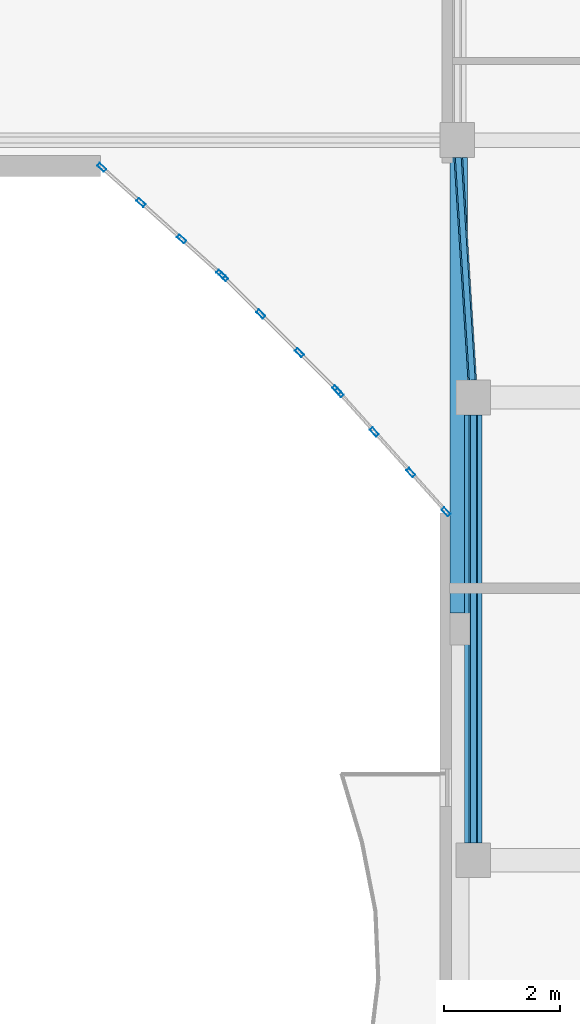
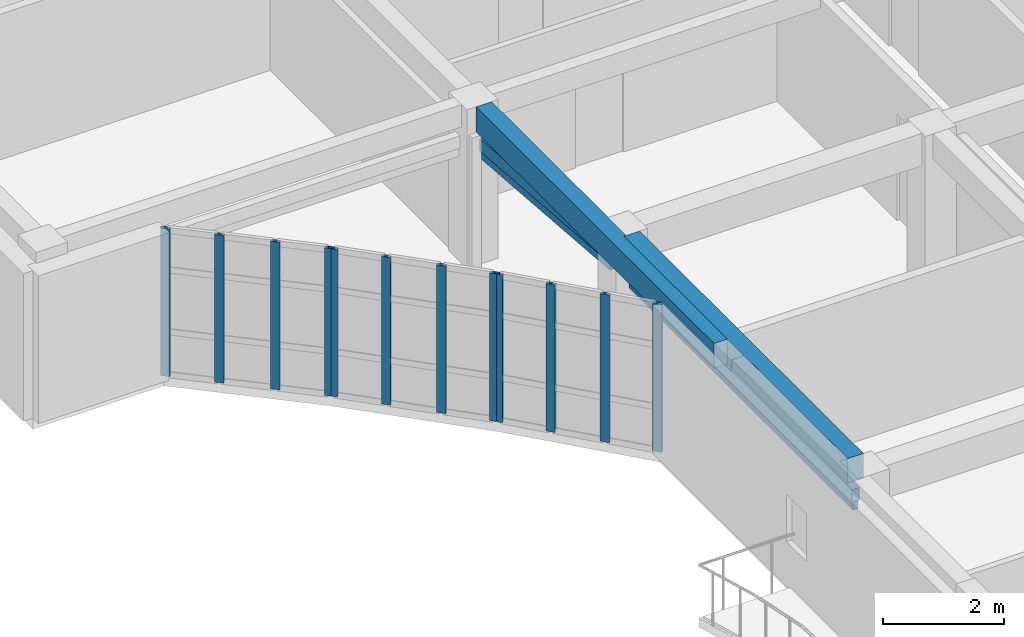
# One storey, part 11 of 79: 16 members, 2 beams, 3 elements without a shape of their own.
"""IFC4 building model written with IfcOpenShell, lengths in metres."""

import ifcopenshell
import ifcopenshell.guid

model = None  # the IFC model being written
_history = None  # IfcOwnerHistory: only IFC2X3 demands one
_inside = {}  # id of a spatial element -> (the spatial element, [elements in it])
_under = {}  # id of a project, library or spatial element -> (it, [spatial elements below it])
_declared = {}  # id of a project -> (the project, [libraries it declares])
_typed = {}  # id of a type object -> (the type object, [elements of that type])
_made_of = {}  # id of a material, layer set ... -> (it, [elements and type objects made of it])


def new_model(schema):
    """Start an empty IFC model of exactly this schema.

    Asked for "IFC4X3", IfcOpenShell would pick the latest addendum, in which some entities
    have other attributes; the version numbers below select the first issue.
    IFC2X3 requires an IfcOwnerHistory on every rooted entity: one is made here for all.
    """
    global model, _history
    if schema == "IFC4X3":
        model = ifcopenshell.file(schema_version=(4, 3, 0, 0))
    else:
        model = ifcopenshell.file(schema=schema)
    _inside.clear()
    _under.clear()
    _declared.clear()
    _typed.clear()
    _made_of.clear()
    _history = None
    if model.schema == "IFC2X3":
        org = make("IfcOrganization", Name="unknown")
        user = make(
            "IfcPersonAndOrganization",
            ThePerson=make("IfcPerson", FamilyName="unknown"),
            TheOrganization=org,
        )
        app = make(
            "IfcApplication",
            ApplicationDeveloper=org,
            Version="unknown",
            ApplicationFullName="unknown",
            ApplicationIdentifier="unknown",
        )
        _history = make(
            "IfcOwnerHistory",
            OwningUser=user,
            OwningApplication=app,
            ChangeAction="ADDED",
            CreationDate=0,
        )
    return model


def make(cls, **values):
    """One entity of the class cls with the attributes given. An attribute that is None is left unset."""
    return model.create_entity(
        cls, **{name: value for name, value in values.items() if value is not None}
    )


def rooted(cls, **values):
    """An entity with a GlobalId (a new one), such as an element, a storey or a relation."""
    return make(cls, GlobalId=ifcopenshell.guid.new(), OwnerHistory=_history, **values)


def si_unit(unit_type, name, prefix=None):
    """IfcSIUnit, for example si_unit("LENGTHUNIT", "METRE", prefix="MILLI")."""
    return make("IfcSIUnit", UnitType=unit_type, Prefix=prefix, Name=name)


def assignment(units):
    """IfcUnitAssignment: the units of a project."""
    return None if units is None else make("IfcUnitAssignment", Units=units)


def point(xyz):
    """IfcCartesianPoint."""
    return None if xyz is None else make("IfcCartesianPoint", Coordinates=xyz)


def direction(xyz):
    """IfcDirection."""
    return None if xyz is None else make("IfcDirection", DirectionRatios=xyz)


def frame(location, z_axis=None, x_axis=None):
    """IfcAxis2Placement3D, a coordinate frame: its origin and axes. An axis left out is left unset."""
    return make(
        "IfcAxis2Placement3D",
        Location=point(location),
        Axis=direction(z_axis),
        RefDirection=direction(x_axis),
    )


def frame_2d(location, x_axis=None):
    """IfcAxis2Placement2D, a coordinate frame in the plane: its origin and x axis."""
    return make(
        "IfcAxis2Placement2D", Location=point(location), RefDirection=direction(x_axis)
    )


def origin():
    """The frame at (0, 0, 0) with its axes left unset."""
    return frame((0.0, 0.0, 0.0))


def origin_2d():
    """The frame at (0, 0) in the plane with its x axis left unset."""
    return frame_2d((0.0, 0.0))


def place(relative_to, where):
    """IfcLocalPlacement: puts the frame where relative to a parent placement (None: the world)."""
    return make(
        "IfcLocalPlacement", PlacementRelTo=relative_to, RelativePlacement=where
    )


def context(
    kind, dimensions, precision=None, world=None, true_north=None, identifier=None
):
    """IfcGeometricRepresentationContext, for example the 3D "Model" context."""
    return make(
        "IfcGeometricRepresentationContext",
        ContextIdentifier=identifier,
        ContextType=kind,
        CoordinateSpaceDimension=dimensions,
        Precision=precision,
        WorldCoordinateSystem=world,
        TrueNorth=true_north,
    )


def subcontext(parent, identifier, kind, view, scale=None):
    """IfcGeometricRepresentationSubContext, for example "Body" below "Model"."""
    return make(
        "IfcGeometricRepresentationSubContext",
        ContextIdentifier=identifier,
        ContextType=kind,
        ParentContext=parent,
        TargetScale=scale,
        TargetView=view,
    )


def project(units=None, contexts=None):
    """IfcProject with its units and contexts."""
    return rooted(
        "IfcProject",
        Name="project",
        RepresentationContexts=contexts,
        UnitsInContext=assignment(units),
    )


def spatial(cls, under=None, at=None, **own):
    """A site, building, storey or space (cls), placed at a placement, below another one or the project."""
    s = rooted(cls, ObjectPlacement=at, **own)
    if under is not None:
        _under.setdefault(under.id(), (under, []))[1].append(s)
    return s


def profile(cls, at=None, kind="AREA", **sizes):
    """A parametric profile (cls). Its sizes go by their IFC names, for example OverallWidth=200.0."""
    return make(cls, ProfileType=kind, Position=at, **sizes)


def rectangle(**sizes):
    """IfcRectangleProfileDef."""
    return profile("IfcRectangleProfileDef", **sizes)


def hollow_rectangle(**sizes):
    """IfcRectangleHollowProfileDef."""
    return profile("IfcRectangleHollowProfileDef", **sizes)


def extrude(swept, where, along, depth):
    """IfcExtrudedAreaSolid: the profile swept, set in the frame where, extruded along a direction by depth."""
    return make(
        "IfcExtrudedAreaSolid",
        SweptArea=swept,
        Position=where,
        ExtrudedDirection=direction(along),
        Depth=depth,
    )


def shape(context_of_items, identifier, shape_type, items):
    """IfcShapeRepresentation: the items that make up one representation, for example the "Body"."""
    return make(
        "IfcShapeRepresentation",
        ContextOfItems=context_of_items,
        RepresentationIdentifier=identifier,
        RepresentationType=shape_type,
        Items=items,
    )


def material(Name=None, Category=None):
    """IfcMaterial."""
    return make("IfcMaterial", Name=Name, Category=Category)


def layer(
    of_material, thickness, ventilated=None, Name=None, Category=None, Priority=None
):
    """IfcMaterialLayer: one layer of a wall or slab, of a material (None: an air gap)."""
    return make(
        "IfcMaterialLayer",
        Material=of_material,
        LayerThickness=thickness,
        IsVentilated=ventilated,
        Name=Name,
        Category=Category,
        Priority=Priority,
    )


def layer_set(layers, Name=None):
    """IfcMaterialLayerSet."""
    return make("IfcMaterialLayerSet", MaterialLayers=layers, LayerSetName=Name)


def material_profile(
    of_material, cross_section, Name=None, Category=None, Priority=None
):
    """IfcMaterialProfile: a cross section and its material."""
    return make(
        "IfcMaterialProfile",
        Name=Name,
        Material=of_material,
        Profile=cross_section,
        Priority=Priority,
        Category=Category,
    )


def profile_set(profiles, Name=None, composite=None):
    """IfcMaterialProfileSet."""
    return make(
        "IfcMaterialProfileSet",
        Name=Name,
        MaterialProfiles=profiles,
        CompositeProfile=composite,
    )


def made_of(thing, what):
    """Note that an element or type object is made of a material, layer set ...; save() writes the relation."""
    if what is not None:
        _made_of.setdefault(what.id(), (what, []))[1].append(thing)
    return thing


def type_object(cls, material=None, **own):
    """A type object (cls), such as IfcWallType, which elements share."""
    return made_of(rooted(cls, **own), material)


def element(
    cls,
    number,
    at=None,
    inside=None,
    cuts=None,
    type_object=None,
    material=None,
    context=None,
    identifier="Body",
    shape_type=None,
    held_by="IfcProductDefinitionShape",
    body=None,
    shapes=None,
    **own,
):
    """One element of the class cls, such as IfcWall. Its Tag is "e" and its number.

    at: its placement. inside: the storey or other place that contains it. cuts: it is an
    opening in that element (IfcRelVoidsElement). A single representation is given by context,
    identifier, shape_type and body (its items); several are given by shapes. held_by: the class
    of the entity that holds the representations. save() writes the other relations.
    """
    e = rooted(cls, Tag="e%d" % number, ObjectPlacement=at, **own)
    if body is not None:
        shapes = [shape(context, identifier, shape_type, body)]
    if shapes is not None:
        e.Representation = make(held_by, Representations=shapes)
    if inside is not None:
        _inside.setdefault(inside.id(), (inside, []))[1].append(e)
    if cuts is not None:
        rooted(
            "IfcRelVoidsElement", RelatingBuildingElement=cuts, RelatedOpeningElement=e
        )
    if type_object is not None:
        _typed.setdefault(type_object.id(), (type_object, []))[1].append(e)
    return made_of(e, material)


def aggregate(whole, parts):
    """IfcRelAggregates: a whole, such as a stair, and the parts it consists of."""
    return rooted("IfcRelAggregates", RelatingObject=whole, RelatedObjects=parts)


def save(model, path):
    """Write the relations noted so far, then the file.

    IfcRelAggregates (storeys below a building ...), IfcRelContainedInSpatialStructure (elements
    in a storey), IfcRelDefinesByType, IfcRelAssociatesMaterial and IfcRelDeclares: one each for
    every whole, place, type object, material and project.
    """
    for whole, parts in _under.values():
        aggregate(whole, parts)
    for where, things in _inside.values():
        rooted(
            "IfcRelContainedInSpatialStructure",
            RelatedElements=things,
            RelatingStructure=where,
        )
    for kind, things in _typed.values():
        rooted("IfcRelDefinesByType", RelatedObjects=things, RelatingType=kind)
    for what, things in _made_of.values():
        rooted("IfcRelAssociatesMaterial", RelatedObjects=things, RelatingMaterial=what)
    for by, libraries in _declared.values():
        rooted("IfcRelDeclares", RelatingContext=by, RelatedDefinitions=libraries)
    model.write(path)


model = new_model("IFC4")

# Units and contexts
model_context = context("Model", 3, precision=1e-05, world=origin(), true_north=direction((0.0, 1.0)))
body_context = subcontext(model_context, "Body", "Model", "MODEL_VIEW")
ifc_project = project(units=[si_unit("LENGTHUNIT", "METRE"), si_unit("AREAUNIT", "SQUARE_METRE"), si_unit("VOLUMEUNIT", "CUBIC_METRE"), si_unit("PLANEANGLEUNIT", "RADIAN"), si_unit("MASSUNIT", "GRAM", prefix="KILO")], contexts=[model_context])

# Site, building, storey
site_placement = place(None, origin())
site = spatial("IfcSite", under=ifc_project, at=site_placement, CompositionType="ELEMENT")
building_placement = place(site_placement, origin())
building = spatial("IfcBuilding", under=site, at=building_placement, Name="Keldmere Railside Commons", CompositionType="ELEMENT")
storey_placement = place(building_placement, frame((0.0, 0.0, 10.56005859375)))
storey = spatial("IfcBuildingStorey", under=building, at=storey_placement, Name="L03", CompositionType="ELEMENT", Elevation=10.56005859375)

# Members
ifc_material_1 = material(Name="Steel F-36 (S355)", Category="steel")
ifc_material_profile_1 = material_profile(ifc_material_1, hollow_rectangle(XDim=0.14990234375, YDim=0.25, WallThickness=0.010009765625, at=origin_2d()), Name="RHS-250x150x10")
ifc_profile_set_1 = profile_set([ifc_material_profile_1], Name="Steel F-36 (S355)")
member_type_1 = type_object("IfcMemberType", Name="Balcony Continuous Planted Trough RHS250x150", PredefinedType="CHORD", material=ifc_profile_set_1)
member_1_placement = place(storey_placement, frame((48.449951171875, 88.300048828125, 2.4150390625), z_axis=(0.0, 1.0, 0.0), x_axis=(-1.0, 0.0, 0.0)))
element("IfcMember", 1, at=member_1_placement, inside=storey, type_object=member_type_1, Name="PLT-1 MEM-BPLT-0371", PredefinedType="CHORD", context=body_context, shape_type="SweptSolid", body=[
    extrude(hollow_rectangle(XDim=0.14990234375, YDim=0.25, WallThickness=0.010009765625, at=origin_2d()), origin(), (0.0, 0.0, 1.0), 7.39990234375),
])
member_2_placement = place(storey_placement, frame((48.43115234375, 96.29931640625, 2.4150390625), z_axis=(-0.06282335906, 0.998024661798, 0.0), x_axis=(-0.998024661798, -0.06282335906, 0.0)))
element("IfcMember", 2, at=member_2_placement, inside=storey, type_object=member_type_1, Name="PLT-1 MEM-BPLT-0373", PredefinedType="CHORD", context=body_context, shape_type="SweptSolid", body=[
    extrude(hollow_rectangle(XDim=0.14990234375, YDim=0.25, WallThickness=0.010009765625, at=origin_2d()), origin(), (0.0, 0.0, 1.0), 3.85888671875),
])

# Beams
ifc_material_2 = material(Name="Concrete H-30 (C30/37)", Category="concrete")
ifc_material_profile_2 = material_profile(ifc_material_2, rectangle(XDim=0.300048828125, YDim=0.5, at=origin_2d()), Name="RC-300x500")
ifc_profile_set_2 = profile_set([ifc_material_profile_2], Name="Concrete H-30 (C30/37)")
beam_type = type_object("IfcBeamType", Name="Secondary Frame RC Beam 300x500", PredefinedType="BEAM", material=ifc_profile_set_2)
beam_1_placement = place(storey_placement, frame((48.195068359375, 92.27490234375, 2.949951171875), z_axis=(0.0, 1.0, 0.0), x_axis=(-1.0, 0.0, 0.0)))
element("IfcBeam", 3, at=beam_1_placement, inside=storey, type_object=beam_type, Name="BG-5 BM-L03-1440", PredefinedType="BEAM", context=body_context, shape_type="SweptSolid", body=[
    extrude(rectangle(XDim=0.300048828125, YDim=0.5, at=origin_2d()), origin(), (0.0, 0.0, 1.0), 7.875),
])
beam_2_placement = place(storey_placement, frame((48.449951171875, 88.300048828125, 2.949951171875), z_axis=(0.0, 1.0, 0.0), x_axis=(-1.0, 0.0, 0.0)))
element("IfcBeam", 4, at=beam_2_placement, inside=storey, type_object=beam_type, Name="BG-5 BM-L03-1444", PredefinedType="BEAM", context=body_context, shape_type="SweptSolid", body=[
    extrude(rectangle(XDim=0.300048828125, YDim=0.5, at=origin_2d()), origin(), (0.0, 0.0, 1.0), 7.39990234375),
])

# Members
ifc_material_profile_3 = material_profile(ifc_material_1, hollow_rectangle(XDim=0.10009765625, YDim=0.159912109375, WallThickness=0.008056640625, at=origin_2d()), Name="RHS-160x100x8")
ifc_profile_set_3 = profile_set([ifc_material_profile_3], Name="Steel F-36 (S355)")
member_type_2 = type_object("IfcMemberType", Name="Solar Brise-Soleil Louvre Fin RHS160x100", PredefinedType="STRUT", material=ifc_profile_set_3)
member_3_placement = place(storey_placement, frame((48.449951171875, 88.300048828125, 2.199951171875), z_axis=(0.0, 1.0, 0.0), x_axis=(-1.0, 0.0, 0.0)))
element("IfcMember", 5, at=member_3_placement, inside=storey, type_object=member_type_2, Name="BSF-1 MEM-BSF-0372", PredefinedType="STRUT", context=body_context, shape_type="SweptSolid", body=[
    extrude(hollow_rectangle(XDim=0.10009765625, YDim=0.159912109375, WallThickness=0.008056640625, at=origin_2d()), origin(), (0.0, 0.0, 1.0), 7.39990234375),
])
member_4_placement = place(storey_placement, frame((48.43115234375, 96.29931640625, 2.199951171875), z_axis=(-0.06282335906, 0.998024661798, 0.0), x_axis=(-0.998024661798, -0.06282335906, 0.0)))
element("IfcMember", 6, at=member_4_placement, inside=storey, type_object=member_type_2, Name="BSF-1 MEM-BSF-0374", PredefinedType="STRUT", context=body_context, shape_type="SweptSolid", body=[
    extrude(hollow_rectangle(XDim=0.10009765625, YDim=0.159912109375, WallThickness=0.008056640625, at=origin_2d()), origin(), (0.0, 0.0, 1.0), 3.85888671875),
])

# Curtain wall, members
ifc_material_3 = material(Name="Thermally Broken Aluminium", Category="aluminium")
ifc_layer_1 = layer(ifc_material_3, 0.159912109375, Name="Court Chord Wintergarden CW 4800x2850")
ifc_layer_set_1 = layer_set([ifc_layer_1], Name="Thermally Broken Aluminium")
curtain_wall_type_1 = type_object("IfcCurtainWallType", Name="Court Chord Wintergarden CW 4800x2850", PredefinedType="NOTDEFINED", material=ifc_layer_set_1)
curtain_wall_1_placement = place(storey_placement, origin())
curtain_wall_1 = element("IfcCurtainWall", 7, at=curtain_wall_1_placement, inside=storey, type_object=curtain_wall_type_1, Name="CW-12 CW-L03-046", PredefinedType="NOTDEFINED")
ifc_material_profile_4 = material_profile(ifc_material_3, hollow_rectangle(XDim=0.06494140625, YDim=0.159912109375, WallThickness=0.00390625, at=origin_2d()), Name="ALU-MULL-65x160")
ifc_profile_set_4 = profile_set([ifc_material_profile_4], Name="Thermally Broken Aluminium")
member_type_3 = type_object("IfcMemberType", Name="Unitised Curtain Wall Mullion 65x160", PredefinedType="MULLION", material=ifc_profile_set_4)
member_5_placement = place(storey_placement, frame((44.083740234375, 98.131591796875, 0.0), z_axis=(0.0, 0.0, 1.0), x_axis=(-0.667558519879, -0.744557333277, 0.0)))
member_5 = element("IfcMember", 8, at=member_5_placement, type_object=member_type_3, Name="CW-12 mullion 1", PredefinedType="MULLION", context=body_context, shape_type="SweptSolid", body=[
    extrude(hollow_rectangle(XDim=0.06494140625, YDim=0.159912109375, WallThickness=0.00390625, at=origin_2d()), origin(), (0.0, 0.0, 1.0), 2.97998046875),
])
member_6_placement = place(storey_placement, frame((43.4052734375, 98.739990234375, 0.0), z_axis=(0.0, 0.0, 1.0), x_axis=(-0.667558519879, -0.744557333277, 0.0)))
member_6 = element("IfcMember", 9, at=member_6_placement, type_object=member_type_3, Name="CW-12 mullion 2", PredefinedType="MULLION", context=body_context, shape_type="SweptSolid", body=[
    extrude(hollow_rectangle(XDim=0.06494140625, YDim=0.159912109375, WallThickness=0.00390625, at=origin_2d()), origin(), (0.0, 0.0, 1.0), 2.97998046875),
])
member_7_placement = place(storey_placement, frame((42.70263671875, 99.3701171875, 0.0), z_axis=(0.0, 0.0, 1.0), x_axis=(-0.667558519879, -0.744557333277, 0.0)))
member_7 = element("IfcMember", 10, at=member_7_placement, type_object=member_type_3, Name="CW-12 mullion 3", PredefinedType="MULLION", context=body_context, shape_type="SweptSolid", body=[
    extrude(hollow_rectangle(XDim=0.06494140625, YDim=0.159912109375, WallThickness=0.00390625, at=origin_2d()), origin(), (0.0, 0.0, 1.0), 2.97998046875),
])
member_8_placement = place(storey_placement, frame((42.024169921875, 99.978271484375, 0.0), z_axis=(0.0, 0.0, 1.0), x_axis=(-0.667558519879, -0.744557333277, 0.0)))
member_8 = element("IfcMember", 11, at=member_8_placement, type_object=member_type_3, Name="CW-12 mullion 4", PredefinedType="MULLION", context=body_context, shape_type="SweptSolid", body=[
    extrude(hollow_rectangle(XDim=0.06494140625, YDim=0.159912109375, WallThickness=0.00390625, at=origin_2d()), origin(), (0.0, 0.0, 1.0), 2.97998046875),
])
aggregate(curtain_wall_1, [member_5, member_6, member_7, member_8])

ifc_layer_2 = layer(ifc_material_3, 0.159912109375, Name="Court Chord Wintergarden CW 5400x2850")
ifc_layer_set_2 = layer_set([ifc_layer_2], Name="Thermally Broken Aluminium")
curtain_wall_type_2 = type_object("IfcCurtainWallType", Name="Court Chord Wintergarden CW 5400x2850", PredefinedType="NOTDEFINED", material=ifc_layer_set_2)
curtain_wall_2_placement = place(storey_placement, origin())
curtain_wall_2 = element("IfcCurtainWall", 12, at=curtain_wall_2_placement, inside=storey, type_object=curtain_wall_type_2, Name="CW-13 CW-L03-047", PredefinedType="NOTDEFINED")
member_9_placement = place(storey_placement, frame((46.0869140625, 96.130859375, 0.0), z_axis=(0.0, 0.0, 1.0), x_axis=(-0.707106781187, -0.707106781187, 0.0)))
member_9 = element("IfcMember", 13, at=member_9_placement, type_object=member_type_3, Name="CW-13 mullion 1", PredefinedType="MULLION", context=body_context, shape_type="SweptSolid", body=[
    extrude(hollow_rectangle(XDim=0.06494140625, YDim=0.159912109375, WallThickness=0.00390625, at=origin_2d()), origin(), (0.0, 0.0, 1.0), 2.97998046875),
])
member_10_placement = place(storey_placement, frame((45.442626953125, 96.775390625, 0.0), z_axis=(0.0, 0.0, 1.0), x_axis=(-0.707106781187, -0.707106781187, 0.0)))
member_10 = element("IfcMember", 14, at=member_10_placement, type_object=member_type_3, Name="CW-13 mullion 2", PredefinedType="MULLION", context=body_context, shape_type="SweptSolid", body=[
    extrude(hollow_rectangle(XDim=0.06494140625, YDim=0.159912109375, WallThickness=0.00390625, at=origin_2d()), origin(), (0.0, 0.0, 1.0), 2.97998046875),
])
member_11_placement = place(storey_placement, frame((44.775390625, 97.442626953125, 0.0), z_axis=(0.0, 0.0, 1.0), x_axis=(-0.707106781187, -0.707106781187, 0.0)))
member_11 = element("IfcMember", 15, at=member_11_placement, type_object=member_type_3, Name="CW-13 mullion 3", PredefinedType="MULLION", context=body_context, shape_type="SweptSolid", body=[
    extrude(hollow_rectangle(XDim=0.06494140625, YDim=0.159912109375, WallThickness=0.00390625, at=origin_2d()), origin(), (0.0, 0.0, 1.0), 2.97998046875),
])
member_12_placement = place(storey_placement, frame((44.130859375, 98.0869140625, 0.0), z_axis=(0.0, 0.0, 1.0), x_axis=(-0.707106781187, -0.707106781187, 0.0)))
member_12 = element("IfcMember", 16, at=member_12_placement, type_object=member_type_3, Name="CW-13 mullion 4", PredefinedType="MULLION", context=body_context, shape_type="SweptSolid", body=[
    extrude(hollow_rectangle(XDim=0.06494140625, YDim=0.159912109375, WallThickness=0.00390625, at=origin_2d()), origin(), (0.0, 0.0, 1.0), 2.97998046875),
])
aggregate(curtain_wall_2, [member_9, member_10, member_11, member_12])

curtain_wall_3_placement = place(storey_placement, origin())
curtain_wall_3 = element("IfcCurtainWall", 17, at=curtain_wall_3_placement, inside=storey, type_object=curtain_wall_type_1, Name="CW-12 CW-L03-048", PredefinedType="NOTDEFINED")
member_13_placement = place(storey_placement, frame((47.978271484375, 94.024169921875, 0.0), z_axis=(0.0, 0.0, 1.0), x_axis=(-0.744557333277, -0.667558519879, 0.0)))
member_13 = element("IfcMember", 18, at=member_13_placement, type_object=member_type_3, Name="CW-12 mullion 1", PredefinedType="MULLION", context=body_context, shape_type="SweptSolid", body=[
    extrude(hollow_rectangle(XDim=0.06494140625, YDim=0.159912109375, WallThickness=0.00390625, at=origin_2d()), origin(), (0.0, 0.0, 1.0), 2.97998046875),
])
member_14_placement = place(storey_placement, frame((47.3701171875, 94.70263671875, 0.0), z_axis=(0.0, 0.0, 1.0), x_axis=(-0.744557333277, -0.667558519879, 0.0)))
member_14 = element("IfcMember", 19, at=member_14_placement, type_object=member_type_3, Name="CW-12 mullion 2", PredefinedType="MULLION", context=body_context, shape_type="SweptSolid", body=[
    extrude(hollow_rectangle(XDim=0.06494140625, YDim=0.159912109375, WallThickness=0.00390625, at=origin_2d()), origin(), (0.0, 0.0, 1.0), 2.97998046875),
])
member_15_placement = place(storey_placement, frame((46.739990234375, 95.4052734375, 0.0), z_axis=(0.0, 0.0, 1.0), x_axis=(-0.744557333277, -0.667558519879, 0.0)))
member_15 = element("IfcMember", 20, at=member_15_placement, type_object=member_type_3, Name="CW-12 mullion 3", PredefinedType="MULLION", context=body_context, shape_type="SweptSolid", body=[
    extrude(hollow_rectangle(XDim=0.06494140625, YDim=0.159912109375, WallThickness=0.00390625, at=origin_2d()), origin(), (0.0, 0.0, 1.0), 2.97998046875),
])
member_16_placement = place(storey_placement, frame((46.131591796875, 96.083740234375, 0.0), z_axis=(0.0, 0.0, 1.0), x_axis=(-0.744557333277, -0.667558519879, 0.0)))
member_16 = element("IfcMember", 21, at=member_16_placement, type_object=member_type_3, Name="CW-12 mullion 4", PredefinedType="MULLION", context=body_context, shape_type="SweptSolid", body=[
    extrude(hollow_rectangle(XDim=0.06494140625, YDim=0.159912109375, WallThickness=0.00390625, at=origin_2d()), origin(), (0.0, 0.0, 1.0), 2.97998046875),
])
aggregate(curtain_wall_3, [member_13, member_14, member_15, member_16])

save(model, "model.ifc")
